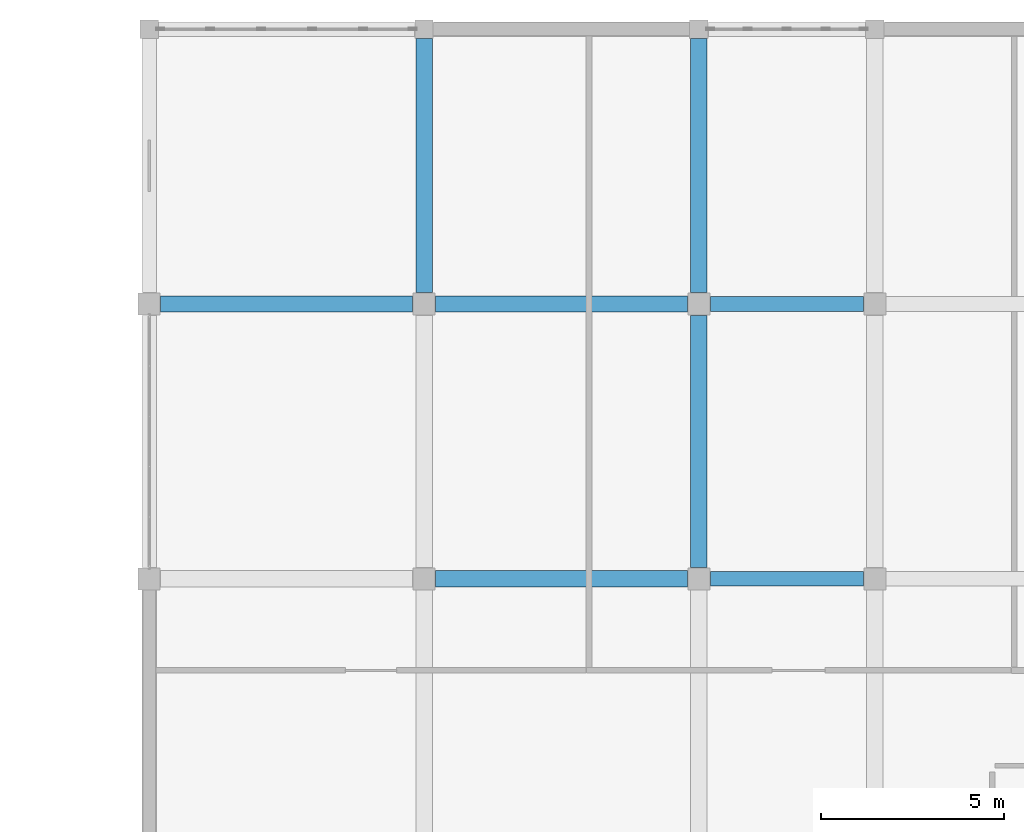
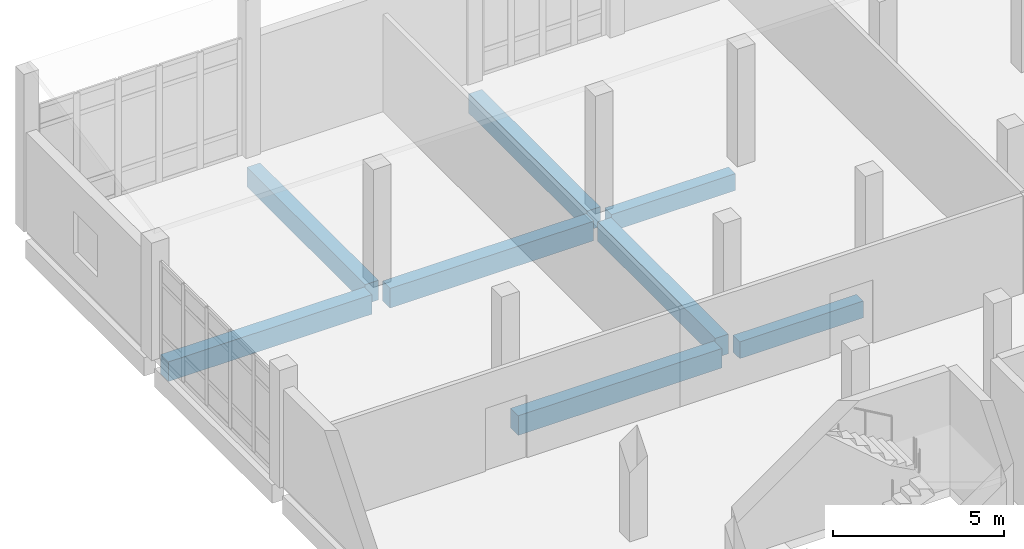
# One storey, part 78 of 164: 8 beams.
"""IFC4 building model written with IfcOpenShell, lengths in metres."""

from ifc_helpers import new_model, si_unit, direction, frame, origin, origin_2d, place, context, subcontext, project, spatial, rectangle, extrude, material, material_profile, profile_set, type_object, element, save


model = new_model("IFC4")

# Units and contexts
model_context = context("Model", 3, precision=1e-05, world=origin(), true_north=direction((0.0, 1.0)))
body_context = subcontext(model_context, "Body", "Model", "MODEL_VIEW")
ifc_project = project(units=[si_unit("LENGTHUNIT", "METRE"), si_unit("AREAUNIT", "SQUARE_METRE"), si_unit("VOLUMEUNIT", "CUBIC_METRE"), si_unit("PLANEANGLEUNIT", "RADIAN"), si_unit("MASSUNIT", "GRAM", prefix="KILO")], contexts=[model_context])

# Site, building, storey
site_placement = place(None, origin())
site = spatial("IfcSite", under=ifc_project, at=site_placement, CompositionType="ELEMENT")
building_placement = place(site_placement, origin())
building = spatial("IfcBuilding", under=site, at=building_placement, Name="Mawjan Specialist Oncology Clinic", CompositionType="ELEMENT")
storey_placement = place(building_placement, frame((0.0, 0.0, 5.0)))
storey = spatial("IfcBuildingStorey", under=building, at=storey_placement, Name="L01", CompositionType="ELEMENT", Elevation=5.0)

# Beams
ifc_material_1 = material(Name="Concrete C40/50", Category="concrete")
ifc_material_profile_1 = material_profile(ifc_material_1, rectangle(XDim=0.39990234375, YDim=0.60009765625, at=origin_2d()), Name="RC BM 400x600", Category="concrete")
ifc_profile_set_1 = profile_set([ifc_material_profile_1], Name="Concrete C40/50")
beam_type_1 = type_object("IfcBeamType", Name="BM-400x600", PredefinedType="BEAM", material=ifc_profile_set_1)
for number, where, z_axis, x_axis, name in (
    (1, (60.31005859375, 98.300048828125, -0.60009765625), (1.0, 0.0, 0.0), (0.0, 1.0, 0.0), "L01 Collector Beam BM-L01-0377"),
    (2, (60.31005859375, 105.800048828125, -0.60009765625), (1.0, 0.0, 0.0), (0.0, 1.0, 0.0), "L01 Collector Beam BM-L01-0394"),
):
    element("IfcBeam", number, at=place(storey_placement, frame(where, z_axis=z_axis, x_axis=x_axis)), inside=storey, type_object=beam_type_1, Name=name, PredefinedType="BEAM", context=body_context, shape_type="SweptSolid", body=[
        extrude(rectangle(XDim=0.39990234375, YDim=0.60009765625, at=origin_2d()), origin(), (0.0, 0.0, 1.0), 4.179931640625),
    ])
ifc_material_2 = material(Name="Concrete C40/50", Category="concrete")
ifc_material_profile_2 = material_profile(ifc_material_2, rectangle(XDim=0.449951171875, YDim=0.699951171875, at=origin_2d()), Name="RC BM 450x700", Category="concrete")
ifc_profile_set_2 = profile_set([ifc_material_profile_2], Name="Concrete C40/50")
beam_type_2 = type_object("IfcBeamType", Name="BM-450x700", PredefinedType="BEAM", material=ifc_profile_set_2)
for number, where, z_axis, x_axis, name in (
    (3, (52.81005859375, 98.300048828125, -0.64990234375), (1.0, 0.0, 0.0), (0.0, 1.0, 0.0), "L01 Collector Beam BM-L01-0376"),
    (4, (45.31005859375, 105.800048828125, -0.64990234375), (1.0, 0.0, 0.0), (0.0, 1.0, 0.0), "L01 Collector Beam BM-L01-0392"),
    (5, (52.81005859375, 105.800048828125, -0.64990234375), (1.0, 0.0, 0.0), (0.0, 1.0, 0.0), "L01 Collector Beam BM-L01-0393"),
):
    element("IfcBeam", number, at=place(storey_placement, frame(where, z_axis=z_axis, x_axis=x_axis)), inside=storey, type_object=beam_type_2, Name=name, PredefinedType="BEAM", context=body_context, shape_type="SweptSolid", body=[
        extrude(rectangle(XDim=0.449951171875, YDim=0.699951171875, at=origin_2d()), origin(), (0.0, 0.0, 1.0), 6.8798828125),
    ])
beam_1_placement = place(storey_placement, frame((52.5, 106.110107421875, -0.64990234375), z_axis=(0.0, 1.0, 0.0), x_axis=(-1.0, 0.0, 0.0)))
element("IfcBeam", 6, at=beam_1_placement, inside=storey, type_object=beam_type_2, Name="L01 Collector Beam BM-L01-0487", PredefinedType="BEAM", context=body_context, shape_type="SweptSolid", body=[
    extrude(rectangle(XDim=0.449951171875, YDim=0.699951171875, at=origin_2d()), origin(), (0.0, 0.0, 1.0), 6.929931640625),
])
beam_2_placement = place(storey_placement, frame((60.0, 98.610107421875, -0.64990234375), z_axis=(0.0, 1.0, 0.0), x_axis=(-1.0, 0.0, 0.0)))
element("IfcBeam", 7, at=beam_2_placement, inside=storey, type_object=beam_type_2, Name="L01 Collector Beam BM-L01-0493", PredefinedType="BEAM", context=body_context, shape_type="SweptSolid", body=[
    extrude(rectangle(XDim=0.449951171875, YDim=0.699951171875, at=origin_2d()), origin(), (0.0, 0.0, 1.0), 6.8798828125),
])
beam_3_placement = place(storey_placement, frame((60.0, 106.110107421875, -0.64990234375), z_axis=(0.0, 1.0, 0.0), x_axis=(-1.0, 0.0, 0.0)))
element("IfcBeam", 8, at=beam_3_placement, inside=storey, type_object=beam_type_2, Name="L01 Collector Beam BM-L01-0494", PredefinedType="BEAM", context=body_context, shape_type="SweptSolid", body=[
    extrude(rectangle(XDim=0.449951171875, YDim=0.699951171875, at=origin_2d()), origin(), (0.0, 0.0, 1.0), 6.929931640625),
])

save(model, "model.ifc")
